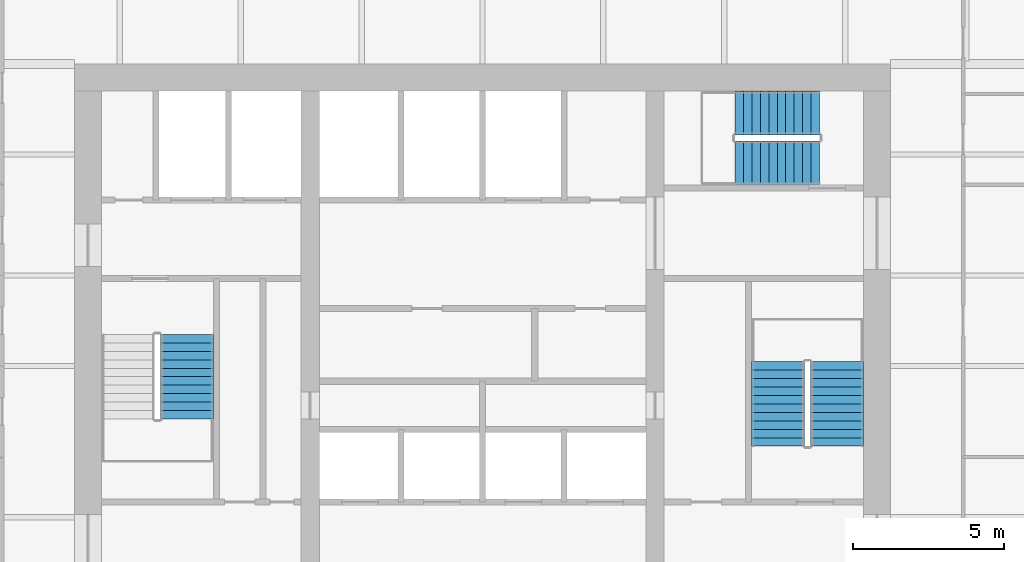
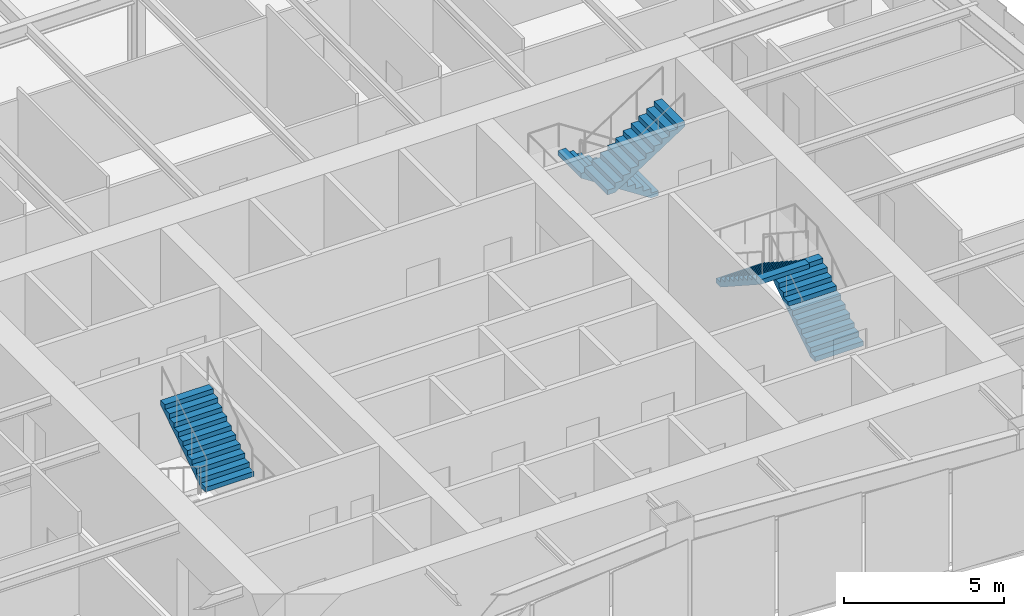
# One storey, part 8 of 10: 5 stair flights, 3 elements without a shape of their own.
"""IFC4 building model written with IfcOpenShell, lengths in metres."""

from ifc_helpers import new_model, si_unit, direction, frame, origin, place, context, subcontext, project, spatial, polyline, outline, extrude, material, type_object, element, aggregate, save


model = new_model("IFC4")

# Units and contexts
model_context = context("Model", 3, precision=1e-05, world=origin(), true_north=direction((0.0, 1.0)))
body_context = subcontext(model_context, "Body", "Model", "MODEL_VIEW")
ifc_project = project(units=[si_unit("LENGTHUNIT", "METRE"), si_unit("AREAUNIT", "SQUARE_METRE"), si_unit("VOLUMEUNIT", "CUBIC_METRE"), si_unit("PLANEANGLEUNIT", "RADIAN"), si_unit("MASSUNIT", "GRAM", prefix="KILO")], contexts=[model_context])

# Site, building, storey
site_placement = place(None, origin())
site = spatial("IfcSite", under=ifc_project, at=site_placement, CompositionType="ELEMENT")
building_placement = place(site_placement, origin())
building = spatial("IfcBuilding", under=site, at=building_placement, Name="Verdant Reach Tower", CompositionType="ELEMENT")
storey_placement = place(building_placement, frame((0.0, 0.0, 186.0)))
storey = spatial("IfcBuildingStorey", under=building, at=storey_placement, Name="L42", CompositionType="ELEMENT", Elevation=186.0)

# Stair, stair flight
ifc_material = material(Name="Concrete C40/50", Category="concrete")
stair_type = type_object("IfcStairType", Name="CO-STAIR", PredefinedType="HALF_TURN_STAIR", material=ifc_material)
stair_1_placement = place(storey_placement, origin())
stair_1 = element("IfcStair", 1, at=stair_1_placement, inside=storey, type_object=stair_type, Name="L42 Exit stair 1", PredefinedType="HALF_TURN_STAIR")
stair_flight_type = type_object("IfcStairFlightType", Name="CO-STAIR-FLIGHT", PredefinedType="STRAIGHT", material=ifc_material)
stair_flight_1_placement = place(storey_placement, frame((-9.77490234375, 26.75, 2.0), z_axis=(0.0, 0.0, 1.0), x_axis=(0.0, 1.0, 0.0)))
stair_flight_1 = element("IfcStairFlight", 2, at=stair_flight_1_placement, type_object=stair_flight_type, Name="ST-1 flight 2", NumberOfRisers=11, NumberOfTreads=10, PredefinedType="STRAIGHT", RiserHeight=0.181818182, TreadLength=0.28, context=body_context, shape_type="SweptSolid", body=[
    extrude(outline(polyline([(0.0, 0.0), (0.0, 0.181884765625), (0.280029296875, 0.181884765625), (0.280029296875, 0.363525390625), (0.56005859375, 0.363525390625), (0.56005859375, 0.54541015625), (0.840087890625, 0.54541015625), (0.840087890625, 0.727294921875), (1.1201171875, 0.727294921875), (1.1201171875, 0.9091796875), (1.39990234375, 0.9091796875), (1.39990234375, 1.0908203125), (1.679931640625, 1.0908203125), (1.679931640625, 1.272705078125), (1.9599609375, 1.272705078125), (1.9599609375, 1.45458984375), (2.239990234375, 1.45458984375), (2.239990234375, 1.636474609375), (2.52001953125, 1.636474609375), (2.52001953125, 1.818115234375), (2.800048828125, 1.818115234375), (2.800048828125, 2.0), (2.800048828125, 1.639404296875), (0.275146484375, 0.0), (0.0, 0.0)])), frame((0.0, 0.875, 0.0), z_axis=(0.0, -1.0, 0.0), x_axis=(1.0, 0.0, 0.0)), (0.0, 0.0, 1.0), 1.75),
])
aggregate(stair_1, [stair_flight_1])

# Stair, stair flights
stair_2_placement = place(storey_placement, origin())
stair_2 = element("IfcStair", 3, at=stair_2_placement, inside=storey, type_object=stair_type, Name="L42 Exit stair 2", PredefinedType="HALF_TURN_STAIR")
stair_flight_2_placement = place(storey_placement, frame((11.72509765625, 25.85009765625, 0.0), z_axis=(0.0, 0.0, 1.0), x_axis=(0.0, 1.0, 0.0)))
stair_flight_2 = element("IfcStairFlight", 4, at=stair_flight_2_placement, type_object=stair_flight_type, Name="ST-2 flight 1", NumberOfRisers=11, NumberOfTreads=10, PredefinedType="STRAIGHT", RiserHeight=0.181818182, TreadLength=0.28, context=body_context, shape_type="SweptSolid", body=[
    extrude(outline(polyline([(0.0, 0.0), (0.0, 0.181884765625), (0.280029296875, 0.181884765625), (0.280029296875, 0.363525390625), (0.56005859375, 0.363525390625), (0.56005859375, 0.54541015625), (0.840087890625, 0.54541015625), (0.840087890625, 0.727294921875), (1.1201171875, 0.727294921875), (1.1201171875, 0.9091796875), (1.39990234375, 0.9091796875), (1.39990234375, 1.0908203125), (1.679931640625, 1.0908203125), (1.679931640625, 1.272705078125), (1.9599609375, 1.272705078125), (1.9599609375, 1.45458984375), (2.239990234375, 1.45458984375), (2.239990234375, 1.636474609375), (2.52001953125, 1.636474609375), (2.52001953125, 1.818115234375), (2.800048828125, 1.818115234375), (2.800048828125, 2.0), (2.800048828125, 1.639404296875), (0.275146484375, 0.0), (0.0, 0.0)])), frame((0.0, 0.875, 0.0), z_axis=(0.0, -1.0, 0.0), x_axis=(1.0, 0.0, 0.0)), (0.0, 0.0, 1.0), 1.75),
])
stair_flight_3_placement = place(storey_placement, frame((9.77490234375, 28.64990234375, 2.0), z_axis=(0.0, 0.0, 1.0), x_axis=(0.0, -1.0, 0.0)))
stair_flight_3 = element("IfcStairFlight", 5, at=stair_flight_3_placement, type_object=stair_flight_type, Name="ST-2 flight 2", NumberOfRisers=11, NumberOfTreads=10, PredefinedType="STRAIGHT", RiserHeight=0.181818182, TreadLength=0.28, context=body_context, shape_type="SweptSolid", body=[
    extrude(outline(polyline([(0.0, 0.0), (0.0, 0.181884765625), (0.280029296875, 0.181884765625), (0.280029296875, 0.363525390625), (0.56005859375, 0.363525390625), (0.56005859375, 0.54541015625), (0.840087890625, 0.54541015625), (0.840087890625, 0.727294921875), (1.1201171875, 0.727294921875), (1.1201171875, 0.9091796875), (1.39990234375, 0.9091796875), (1.39990234375, 1.0908203125), (1.679931640625, 1.0908203125), (1.679931640625, 1.272705078125), (1.9599609375, 1.272705078125), (1.9599609375, 1.45458984375), (2.239990234375, 1.45458984375), (2.239990234375, 1.636474609375), (2.52001953125, 1.636474609375), (2.52001953125, 1.818115234375), (2.800048828125, 1.818115234375), (2.800048828125, 2.0), (2.800048828125, 1.639404296875), (0.275146484375, 0.0), (0.0, 0.0)])), frame((0.0, 0.875, 0.0), z_axis=(0.0, -1.0, 0.0), x_axis=(1.0, 0.0, 0.0)), (0.0, 0.0, 1.0), 1.75),
])
aggregate(stair_2, [stair_flight_2, stair_flight_3])

stair_3_placement = place(storey_placement, origin())
stair_3 = element("IfcStair", 6, at=stair_3_placement, inside=storey, type_object=stair_type, Name="L42 Exit stair 3", PredefinedType="HALF_TURN_STAIR")
stair_flight_4_placement = place(storey_placement, frame((11.14990234375, 36.875, 0.0), z_axis=(0.0, 0.0, 1.0), x_axis=(-1.0, 0.0, 0.0)))
stair_flight_4 = element("IfcStairFlight", 7, at=stair_flight_4_placement, type_object=stair_flight_type, Name="ST-3 flight 1", NumberOfRisers=11, NumberOfTreads=10, PredefinedType="STRAIGHT", RiserHeight=0.181818182, TreadLength=0.28, context=body_context, shape_type="SweptSolid", body=[
    extrude(outline(polyline([(0.0, 0.0), (0.0, 0.181884765625), (0.280029296875, 0.181884765625), (0.280029296875, 0.363525390625), (0.56005859375, 0.363525390625), (0.56005859375, 0.54541015625), (0.840087890625, 0.54541015625), (0.840087890625, 0.727294921875), (1.1201171875, 0.727294921875), (1.1201171875, 0.9091796875), (1.39990234375, 0.9091796875), (1.39990234375, 1.0908203125), (1.679931640625, 1.0908203125), (1.679931640625, 1.272705078125), (1.9599609375, 1.272705078125), (1.9599609375, 1.45458984375), (2.239990234375, 1.45458984375), (2.239990234375, 1.636474609375), (2.52001953125, 1.636474609375), (2.52001953125, 1.818115234375), (2.800048828125, 1.818115234375), (2.800048828125, 2.0), (2.800048828125, 1.639404296875), (0.275146484375, 0.0), (0.0, 0.0)])), frame((0.0, 0.72509765625, 0.0), z_axis=(0.0, -1.0, 0.0), x_axis=(1.0, 0.0, 0.0)), (0.0, 0.0, 1.0), 1.449951171875),
])
stair_flight_5_placement = place(storey_placement, frame((8.35009765625, 35.22509765625, 2.0), z_axis=(0.0, 0.0, 1.0), x_axis=(1.0, 0.0, 0.0)))
stair_flight_5 = element("IfcStairFlight", 8, at=stair_flight_5_placement, type_object=stair_flight_type, Name="ST-3 flight 2", NumberOfRisers=11, NumberOfTreads=10, PredefinedType="STRAIGHT", RiserHeight=0.181818182, TreadLength=0.28, context=body_context, shape_type="SweptSolid", body=[
    extrude(outline(polyline([(0.0, 0.0), (0.0, 0.181884765625), (0.280029296875, 0.181884765625), (0.280029296875, 0.363525390625), (0.56005859375, 0.363525390625), (0.56005859375, 0.54541015625), (0.840087890625, 0.54541015625), (0.840087890625, 0.727294921875), (1.1201171875, 0.727294921875), (1.1201171875, 0.9091796875), (1.39990234375, 0.9091796875), (1.39990234375, 1.0908203125), (1.679931640625, 1.0908203125), (1.679931640625, 1.272705078125), (1.9599609375, 1.272705078125), (1.9599609375, 1.45458984375), (2.239990234375, 1.45458984375), (2.239990234375, 1.636474609375), (2.52001953125, 1.636474609375), (2.52001953125, 1.818115234375), (2.800048828125, 1.818115234375), (2.800048828125, 2.0), (2.800048828125, 1.639404296875), (0.275146484375, 0.0), (0.0, 0.0)])), frame((0.0, 0.72509765625, 0.0), z_axis=(0.0, -1.0, 0.0), x_axis=(1.0, 0.0, 0.0)), (0.0, 0.0, 1.0), 1.449951171875),
])
aggregate(stair_3, [stair_flight_4, stair_flight_5])

save(model, "model.ifc")
